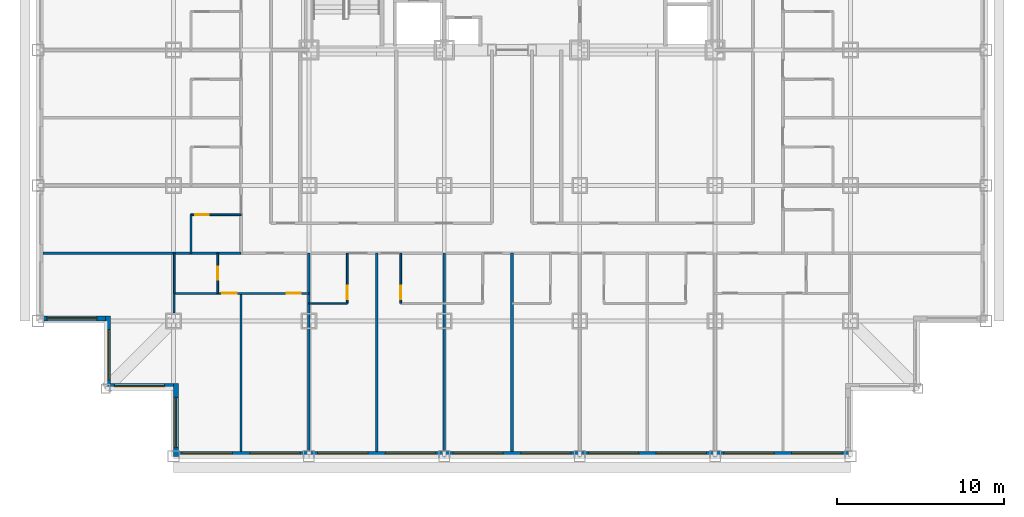
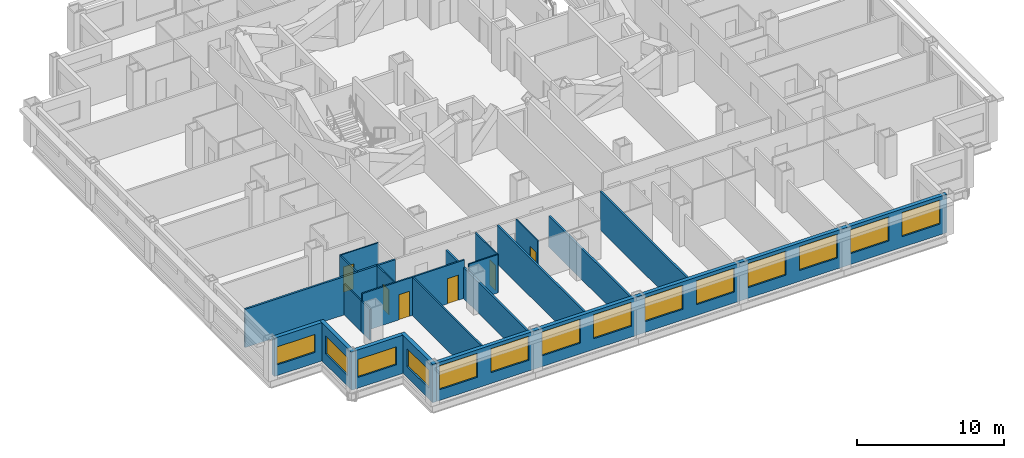
# One storey, part 3 of 11: 20 walls, 14 windows, 6 doors, 20 openings.
"""IFC4 building model written with IfcOpenShell, lengths in metres."""

from ifc_helpers import new_model, si_unit, direction, frame, frame_2d, origin, place, context, subcontext, project, spatial, rectangle, extrude, material, layer, layer_set, type_object, element, fill, save


model = new_model("IFC4")

# Units and contexts
model_context = context("Model", 3, precision=1e-05, world=origin(), true_north=direction((0.0, 1.0)))
body_context = subcontext(model_context, "Body", "Model", "MODEL_VIEW")
ifc_project = project(units=[si_unit("LENGTHUNIT", "METRE"), si_unit("AREAUNIT", "SQUARE_METRE"), si_unit("VOLUMEUNIT", "CUBIC_METRE"), si_unit("PLANEANGLEUNIT", "RADIAN"), si_unit("MASSUNIT", "GRAM", prefix="KILO")], contexts=[model_context])

# Site, building, storey
site_placement = place(None, origin())
site = spatial("IfcSite", under=ifc_project, at=site_placement, CompositionType="ELEMENT")
building_placement = place(site_placement, origin())
building = spatial("IfcBuilding", under=site, at=building_placement, Name="Kopane Lantern Tower", CompositionType="ELEMENT")
storey_placement = place(building_placement, frame((0.0, 0.0, 60.199951171875)))
storey = spatial("IfcBuildingStorey", under=building, at=storey_placement, Name="L14", CompositionType="ELEMENT", Elevation=60.199951171875)

# Wall, openings, doors
ifc_material_1 = material(Name="Gypsum board on steel studs", Category="steel")
ifc_layer_1 = layer(ifc_material_1, 0.1201171875)
ifc_layer_set_1 = layer_set([ifc_layer_1], Name="APARTMENT INTERNAL WALL 120")
wall_type_1 = type_object("IfcWallType", Name="APARTMENT INTERNAL WALL 120", PredefinedType="PARTITIONING", material=ifc_layer_set_1)
wall_1_placement = place(storey_placement, frame((8.14990234375, 9.75, 0.0), z_axis=(0.0, 0.0, 1.0), x_axis=(1.0, 0.0, 0.0)))
wall_1 = element("IfcWall", 1, at=wall_1_placement, inside=storey, type_object=wall_type_1, Name="Apartment Internal Wall 120 L14", PredefinedType="PARTITIONING", context=body_context, shape_type="SweptSolid", body=[
    extrude(rectangle(XDim=8.050048828125, YDim=0.1201171875, at=frame_2d((4.02490234375, 0.0))), origin(), (0.0, 0.0, 1.0), 3.18994140625),
])
opening_1_placement = place(wall_1_placement, frame((6.72509765625, 0.0, 0.0)))
opening_1 = element("IfcOpeningElement", 2, at=opening_1_placement, cuts=wall_1, Name="Opening L14-063", PredefinedType="OPENING", context=body_context, shape_type="SweptSolid", body=[
    extrude(rectangle(XDim=0.85009765625, YDim=2.10009765625, at=frame_2d((0.425048828125, 1.050048828125))), frame((0.0, 0.070068359375, 0.0), z_axis=(0.0, -1.0, 0.0), x_axis=(1.0, 0.0, 0.0)), (0.0, 0.0, 1.0), 0.14013671875),
])
opening_2_placement = place(wall_1_placement, frame((2.875, 0.0, 0.0)))
opening_2 = element("IfcOpeningElement", 3, at=opening_2_placement, cuts=wall_1, Name="Opening L14-065", PredefinedType="OPENING", context=body_context, shape_type="SweptSolid", body=[
    extrude(rectangle(XDim=0.85009765625, YDim=2.10009765625, at=frame_2d((0.425048828125, 1.050048828125))), frame((0.0, 0.070068359375, 0.0), z_axis=(0.0, -1.0, 0.0), x_axis=(1.0, 0.0, 0.0)), (0.0, 0.0, 1.0), 0.14013671875),
])
ifc_material_2 = material(Name="Timber door set", Category="wood")
door_type_1 = type_object("IfcDoorType", Name="DOOR D4 850x2100", OperationType="SINGLE_SWING_LEFT", PredefinedType="DOOR", material=ifc_material_2)
door_1_placement = place(opening_1_placement, origin())
door_1 = element("IfcDoor", 4, at=door_1_placement, inside=storey, type_object=door_type_1, Name="Door L14-063", OperationType="SINGLE_SWING_RIGHT", OverallHeight=2.10009765625, OverallWidth=0.85009765625, PredefinedType="DOOR", context=body_context, shape_type="SweptSolid", body=[
    extrude(rectangle(XDim=0.85009765625, YDim=2.10009765625, at=frame_2d((0.425048828125, 1.050048828125))), frame((0.0, 0.02490234375, 0.0), z_axis=(0.0, -1.0, 0.0), x_axis=(1.0, 0.0, 0.0)), (0.0, 0.0, 1.0), 0.050048828125),
])
fill(opening_1, door_1)
door_2_placement = place(opening_2_placement, origin())
door_2 = element("IfcDoor", 5, at=door_2_placement, inside=storey, type_object=door_type_1, Name="Door L14-065", OperationType="SINGLE_SWING_LEFT", OverallHeight=2.10009765625, OverallWidth=0.85009765625, PredefinedType="DOOR", context=body_context, shape_type="SweptSolid", body=[
    extrude(rectangle(XDim=0.85009765625, YDim=2.10009765625, at=frame_2d((0.425048828125, 1.050048828125))), frame((0.0, 0.02490234375, 0.0), z_axis=(0.0, -1.0, 0.0), x_axis=(1.0, 0.0, 0.0)), (0.0, 0.0, 1.0), 0.050048828125),
])
fill(opening_2, door_2)

# Walls
wall_2_placement = place(storey_placement, frame((12.14990234375, 9.75, 0.0), z_axis=(0.0, 0.0, 1.0), x_axis=(0.0, -1.0, 0.0)))
element("IfcWall", 6, at=wall_2_placement, inside=storey, type_object=wall_type_1, Name="Apartment Internal Wall 120 L14", PredefinedType="PARTITIONING", context=body_context, shape_type="SweptSolid", body=[
    extrude(rectangle(XDim=9.449951171875, YDim=0.1201171875, at=frame_2d((4.72509765625, 0.0))), origin(), (0.0, 0.0, 1.0), 3.18994140625),
])
wall_3_placement = place(storey_placement, frame((8.14990234375, 9.75, 0.0), z_axis=(0.0, 0.0, 1.0), x_axis=(0.0, -1.0, 0.0)))
element("IfcWall", 7, at=wall_3_placement, inside=storey, type_object=wall_type_1, Name="Apartment Internal Wall 120 L14", PredefinedType="PARTITIONING", context=body_context, shape_type="SweptSolid", body=[
    extrude(rectangle(XDim=1.175048828125, YDim=0.1201171875, at=frame_2d((0.58740234375, 0.0))), origin(), (0.0, 0.0, 1.0), 2.577880859375),
])
ifc_material_3 = material(Name="Moisture-resistant board on steel studs", Category="steel")
ifc_layer_2 = layer(ifc_material_3, 0.10009765625)
ifc_layer_set_2 = layer_set([ifc_layer_2], Name="BATHROOM WALL 100")
wall_type_2 = type_object("IfcWallType", Name="BATHROOM WALL 100", PredefinedType="PARTITIONING", material=ifc_layer_set_2)
wall_4_placement = place(storey_placement, frame((16.199951171875, 9.14990234375, 0.0), z_axis=(0.0, 0.0, 1.0), x_axis=(1.0, 0.0, 0.0)))
element("IfcWall", 8, at=wall_4_placement, inside=storey, type_object=wall_type_2, Name="Bathroom Wall 100 L14", PredefinedType="PARTITIONING", context=body_context, shape_type="SweptSolid", body=[
    extrude(rectangle(XDim=2.300048828125, YDim=0.10009765625, at=frame_2d((1.14990234375, 0.0))), origin(), (0.0, 0.0, 1.0), 3.18994140625),
])

# Wall, opening, door
wall_5_placement = place(storey_placement, frame((18.5, 12.14990234375, 0.0), z_axis=(0.0, 0.0, 1.0), x_axis=(0.0, -1.0, 0.0)))
wall_5 = element("IfcWall", 9, at=wall_5_placement, inside=storey, type_object=wall_type_2, Name="Bathroom Wall 100 L14", PredefinedType="PARTITIONING", context=body_context, shape_type="SweptSolid", body=[
    extrude(rectangle(XDim=3.0, YDim=0.10009765625, at=frame_2d((1.5, 0.0))), origin(), (0.0, 0.0, 1.0), 3.18994140625),
])
opening_3_placement = place(wall_5_placement, frame((1.949951171875, 0.0, 0.0)))
opening_3 = element("IfcOpeningElement", 10, at=opening_3_placement, cuts=wall_5, Name="Opening L14-011", PredefinedType="OPENING", context=body_context, shape_type="SweptSolid", body=[
    extrude(rectangle(XDim=0.800048828125, YDim=2.10009765625, at=frame_2d((0.39990234375, 1.050048828125))), frame((0.0, 0.06005859375, 0.0), z_axis=(0.0, -1.0, 0.0), x_axis=(1.0, 0.0, 0.0)), (0.0, 0.0, 1.0), 0.1201171875),
])
ifc_material_4 = material(Name="Timber door set", Category="wood")
door_type_2 = type_object("IfcDoorType", Name="DOOR D2 800x2100", OperationType="SINGLE_SWING_LEFT", PredefinedType="DOOR", material=ifc_material_4)
door_3_placement = place(opening_3_placement, origin())
door_3 = element("IfcDoor", 11, at=door_3_placement, inside=storey, type_object=door_type_2, Name="Door L14-011", OperationType="SINGLE_SWING_LEFT", OverallHeight=2.10009765625, OverallWidth=0.800048828125, PredefinedType="DOOR", context=body_context, shape_type="SweptSolid", body=[
    extrude(rectangle(XDim=0.800048828125, YDim=2.10009765625, at=frame_2d((0.39990234375, 1.050048828125))), frame((0.0, 0.02490234375, 0.0), z_axis=(0.0, -1.0, 0.0), x_axis=(1.0, 0.0, 0.0)), (0.0, 0.0, 1.0), 0.050048828125),
])
fill(opening_3, door_3)

wall_6_placement = place(storey_placement, frame((21.699951171875, 12.14990234375, 0.0), z_axis=(0.0, 0.0, 1.0), x_axis=(0.0, -1.0, 0.0)))
wall_6 = element("IfcWall", 12, at=wall_6_placement, inside=storey, type_object=wall_type_2, Name="Bathroom Wall 100 L14", PredefinedType="PARTITIONING", context=body_context, shape_type="SweptSolid", body=[
    extrude(rectangle(XDim=3.0, YDim=0.10009765625, at=frame_2d((1.5, 0.0))), origin(), (0.0, 0.0, 1.0), 3.18994140625),
])
opening_4_placement = place(wall_6_placement, frame((1.949951171875, 0.0, 0.0)))
opening_4 = element("IfcOpeningElement", 13, at=opening_4_placement, cuts=wall_6, Name="Opening L14-013", PredefinedType="OPENING", context=body_context, shape_type="SweptSolid", body=[
    extrude(rectangle(XDim=0.800048828125, YDim=2.10009765625, at=frame_2d((0.39990234375, 1.050048828125))), frame((0.0, 0.06005859375, 0.0), z_axis=(0.0, -1.0, 0.0), x_axis=(1.0, 0.0, 0.0)), (0.0, 0.0, 1.0), 0.1201171875),
])
door_4_placement = place(opening_4_placement, origin())
door_4 = element("IfcDoor", 14, at=door_4_placement, inside=storey, type_object=door_type_2, Name="Door L14-013", OperationType="SINGLE_SWING_RIGHT", OverallHeight=2.10009765625, OverallWidth=0.800048828125, PredefinedType="DOOR", context=body_context, shape_type="SweptSolid", body=[
    extrude(rectangle(XDim=0.800048828125, YDim=2.10009765625, at=frame_2d((0.39990234375, 1.050048828125))), frame((0.0, 0.02490234375, 0.0), z_axis=(0.0, -1.0, 0.0), x_axis=(1.0, 0.0, 0.0)), (0.0, 0.0, 1.0), 0.050048828125),
])
fill(opening_4, door_4)

# Wall
wall_7_placement = place(storey_placement, frame((9.14990234375, 12.14990234375, 0.0), z_axis=(0.0, 0.0, 1.0), x_axis=(0.0, 1.0, 0.0)))
element("IfcWall", 15, at=wall_7_placement, inside=storey, type_object=wall_type_2, Name="Bathroom Wall 100 L14", PredefinedType="PARTITIONING", context=body_context, shape_type="SweptSolid", body=[
    extrude(rectangle(XDim=2.300048828125, YDim=0.10009765625, at=frame_2d((1.14990234375, 0.0))), origin(), (0.0, 0.0, 1.0), 3.18994140625),
])

# Wall, opening, door
wall_8_placement = place(storey_placement, frame((12.14990234375, 14.449951171875, 0.0), z_axis=(0.0, 0.0, 1.0), x_axis=(-1.0, 0.0, 0.0)))
wall_8 = element("IfcWall", 16, at=wall_8_placement, inside=storey, type_object=wall_type_2, Name="Bathroom Wall 100 L14", PredefinedType="PARTITIONING", context=body_context, shape_type="SweptSolid", body=[
    extrude(rectangle(XDim=3.0, YDim=0.10009765625, at=frame_2d((1.5, 0.0))), origin(), (0.0, 0.0, 1.0), 3.18994140625),
])
opening_5_placement = place(wall_8_placement, frame((1.949951171875, 0.0, 0.0)))
opening_5 = element("IfcOpeningElement", 17, at=opening_5_placement, cuts=wall_8, Name="Opening L14-035", PredefinedType="OPENING", context=body_context, shape_type="SweptSolid", body=[
    extrude(rectangle(XDim=0.800048828125, YDim=2.10009765625, at=frame_2d((0.39990234375, 1.050048828125))), frame((0.0, 0.06005859375, 0.0), z_axis=(0.0, -1.0, 0.0), x_axis=(1.0, 0.0, 0.0)), (0.0, 0.0, 1.0), 0.1201171875),
])
door_5_placement = place(opening_5_placement, origin())
door_5 = element("IfcDoor", 18, at=door_5_placement, inside=storey, type_object=door_type_2, Name="Door L14-035", OperationType="SINGLE_SWING_RIGHT", OverallHeight=2.10009765625, OverallWidth=0.800048828125, PredefinedType="DOOR", context=body_context, shape_type="SweptSolid", body=[
    extrude(rectangle(XDim=0.800048828125, YDim=2.10009765625, at=frame_2d((0.39990234375, 1.050048828125))), frame((0.0, 0.02490234375, 0.0), z_axis=(0.0, -1.0, 0.0), x_axis=(1.0, 0.0, 0.0)), (0.0, 0.0, 1.0), 0.050048828125),
])
fill(opening_5, door_5)

wall_9_placement = place(storey_placement, frame((10.75, 12.14990234375, 0.0), z_axis=(0.0, 0.0, 1.0), x_axis=(0.0, -1.0, 0.0)))
wall_9 = element("IfcWall", 19, at=wall_9_placement, inside=storey, type_object=wall_type_2, Name="Bathroom Wall 100 L14", PredefinedType="PARTITIONING", context=body_context, shape_type="SweptSolid", body=[
    extrude(rectangle(XDim=2.39990234375, YDim=0.10009765625, at=frame_2d((1.199951171875, 0.0))), origin(), (0.0, 0.0, 1.0), 3.18994140625),
])
opening_6_placement = place(wall_9_placement, frame((0.800048828125, 0.0, 0.0)))
opening_6 = element("IfcOpeningElement", 20, at=opening_6_placement, cuts=wall_9, Name="Opening L14-064", PredefinedType="OPENING", context=body_context, shape_type="SweptSolid", body=[
    extrude(rectangle(XDim=0.800048828125, YDim=2.10009765625, at=frame_2d((0.39990234375, 1.050048828125))), frame((0.0, 0.06005859375, 0.0), z_axis=(0.0, -1.0, 0.0), x_axis=(1.0, 0.0, 0.0)), (0.0, 0.0, 1.0), 0.1201171875),
])
door_6_placement = place(opening_6_placement, origin())
door_6 = element("IfcDoor", 21, at=door_6_placement, inside=storey, type_object=door_type_2, Name="Door L14-064", OperationType="SINGLE_SWING_RIGHT", OverallHeight=2.10009765625, OverallWidth=0.800048828125, PredefinedType="DOOR", context=body_context, shape_type="SweptSolid", body=[
    extrude(rectangle(XDim=0.800048828125, YDim=2.10009765625, at=frame_2d((0.39990234375, 1.050048828125))), frame((0.0, 0.02490234375, 0.0), z_axis=(0.0, -1.0, 0.0), x_axis=(1.0, 0.0, 0.0)), (0.0, 0.0, 1.0), 0.050048828125),
])
fill(opening_6, door_6)

# Walls
wall_10_placement = place(storey_placement, frame((8.14990234375, 12.14990234375, 0.0), z_axis=(0.0, 0.0, 1.0), x_axis=(0.0, -1.0, 0.0)))
element("IfcWall", 22, at=wall_10_placement, inside=storey, type_object=wall_type_2, Name="Bathroom Wall 100 L14", PredefinedType="PARTITIONING", context=body_context, shape_type="SweptSolid", body=[
    extrude(rectangle(XDim=2.39990234375, YDim=0.10009765625, at=frame_2d((1.199951171875, 0.0))), origin(), (0.0, 0.0, 1.0), 2.577880859375),
])
ifc_material_5 = material(Name="Gypsum board on steel studs", Category="steel")
ifc_layer_3 = layer(ifc_material_5, 0.14990234375)
ifc_layer_set_3 = layer_set([ifc_layer_3], Name="DEMISING WALL 150 EI 60")
wall_type_3 = type_object("IfcWallType", Name="DEMISING WALL 150 EI 60", PredefinedType="PARTITIONING", material=ifc_layer_set_3)
wall_11_placement = place(storey_placement, frame((20.25, 12.14990234375, 0.0), z_axis=(0.0, 0.0, 1.0), x_axis=(0.0, -1.0, 0.0)))
element("IfcWall", 23, at=wall_11_placement, inside=storey, type_object=wall_type_3, Name="Demising Wall 150 Ei 60 L14", PredefinedType="PARTITIONING", context=body_context, shape_type="SweptSolid", body=[
    extrude(rectangle(XDim=11.849853515625, YDim=0.14990234375, at=frame_2d((5.9248046875, 0.0))), origin(), (0.0, 0.0, 1.0), 3.18994140625),
])
wall_12_placement = place(storey_placement, frame((24.300048828125, 12.14990234375, 0.0), z_axis=(0.0, 0.0, 1.0), x_axis=(0.0, -1.0, 0.0)))
element("IfcWall", 24, at=wall_12_placement, inside=storey, type_object=wall_type_3, Name="Demising Wall 150 Ei 60 L14", PredefinedType="PARTITIONING", context=body_context, shape_type="SweptSolid", body=[
    extrude(rectangle(XDim=11.849853515625, YDim=0.14990234375, at=frame_2d((5.9248046875, 0.0))), origin(), (0.0, 0.0, 1.0), 2.577880859375),
])
for number, where, z_axis, x_axis, name in (
    (25, (28.35009765625, 12.14990234375, 0.0), (0.0, 0.0, 1.0), (0.0, -1.0, 0.0), "Demising Wall 150 Ei 60 L14"),
    (26, (0.300048828125, 12.14990234375, 0.0), (0.0, 0.0, 1.0), (1.0, 0.0, 0.0), "Demising Wall 150 Ei 60 L14"),
):
    element("IfcWall", number, at=place(storey_placement, frame(where, z_axis=z_axis, x_axis=x_axis)), inside=storey, type_object=wall_type_3, Name=name, PredefinedType="PARTITIONING", context=body_context, shape_type="SweptSolid", body=[
        extrude(rectangle(XDim=11.849853515625, YDim=0.14990234375, at=frame_2d((5.9248046875, 0.0))), origin(), (0.0, 0.0, 1.0), 3.18994140625),
    ])
wall_13_placement = place(storey_placement, frame((16.199951171875, 12.14990234375, 0.0), z_axis=(0.0, 0.0, 1.0), x_axis=(0.0, -1.0, 0.0)))
element("IfcWall", 27, at=wall_13_placement, inside=storey, type_object=wall_type_3, Name="Demising Wall 150 Ei 60 L14", PredefinedType="PARTITIONING", context=body_context, shape_type="SweptSolid", body=[
    extrude(rectangle(XDim=11.849853515625, YDim=0.14990234375, at=frame_2d((5.9248046875, 0.0))), origin(), (0.0, 0.0, 1.0), 2.577880859375),
])

# Wall, openings, windows
ifc_material_6 = material(Name="Terracotta rainscreen on light steel framing", Category="masonry")
ifc_layer_4 = layer(ifc_material_6, 0.300048828125)
ifc_layer_set_4 = layer_set([ifc_layer_4], Name="EXTERNAL WALL EW1 300 TERRACOTTA")
wall_type_4 = type_object("IfcWallType", Name="EXTERNAL WALL EW1 300 TERRACOTTA", PredefinedType="SOLIDWALL", material=ifc_layer_set_4)
wall_14_placement = place(storey_placement, frame((8.39990234375, 0.14990234375, 0.0), z_axis=(0.0, 0.0, 1.0), x_axis=(1.0, 0.0, 0.0)))
wall_14 = element("IfcWall", 28, at=wall_14_placement, inside=storey, type_object=wall_type_4, Name="External wall S L14", PredefinedType="SOLIDWALL", context=body_context, shape_type="SweptSolid", body=[
    extrude(rectangle(XDim=40.2001953125, YDim=0.300048828125, at=frame_2d((20.10009765625, 0.0))), origin(), (0.0, 0.0, 1.0), 3.18994140625),
])
opening_7_placement = place(wall_14_placement, frame((0.22509765625, 0.0, 0.89990234375)))
opening_7 = element("IfcOpeningElement", 29, at=opening_7_placement, cuts=wall_14, Name="Opening WR300200", PredefinedType="OPENING", context=body_context, shape_type="SweptSolid", body=[
    extrude(rectangle(XDim=3.0, YDim=2.0, at=frame_2d((1.5, 1.0))), frame((0.0, 0.159912109375, 0.0), z_axis=(0.0, -1.0, 0.0), x_axis=(1.0, 0.0, 0.0)), (0.0, 0.0, 1.0), 0.320068359375),
])
opening_8_placement = place(wall_14_placement, frame((4.27490234375, 0.0, 0.89990234375)))
opening_8 = element("IfcOpeningElement", 30, at=opening_8_placement, cuts=wall_14, Name="Opening WR300200", PredefinedType="OPENING", context=body_context, shape_type="SweptSolid", body=[
    extrude(rectangle(XDim=3.0, YDim=2.0, at=frame_2d((1.5, 1.0))), frame((0.0, 0.159912109375, 0.0), z_axis=(0.0, -1.0, 0.0), x_axis=(1.0, 0.0, 0.0)), (0.0, 0.0, 1.0), 0.320068359375),
])
opening_9_placement = place(wall_14_placement, frame((8.324951171875, 0.0, 0.89990234375)))
opening_9 = element("IfcOpeningElement", 31, at=opening_9_placement, cuts=wall_14, Name="Opening WR300200", PredefinedType="OPENING", context=body_context, shape_type="SweptSolid", body=[
    extrude(rectangle(XDim=3.0, YDim=2.0, at=frame_2d((1.5, 1.0))), frame((0.0, 0.159912109375, 0.0), z_axis=(0.0, -1.0, 0.0), x_axis=(1.0, 0.0, 0.0)), (0.0, 0.0, 1.0), 0.320068359375),
])
opening_10_placement = place(wall_14_placement, frame((12.375, 0.0, 0.89990234375)))
opening_10 = element("IfcOpeningElement", 32, at=opening_10_placement, cuts=wall_14, Name="Opening WR300200", PredefinedType="OPENING", context=body_context, shape_type="SweptSolid", body=[
    extrude(rectangle(XDim=3.0, YDim=2.0, at=frame_2d((1.5, 1.0))), frame((0.0, 0.159912109375, 0.0), z_axis=(0.0, -1.0, 0.0), x_axis=(1.0, 0.0, 0.0)), (0.0, 0.0, 1.0), 0.320068359375),
])
opening_11_placement = place(wall_14_placement, frame((16.425048828125, 0.0, 0.89990234375)))
opening_11 = element("IfcOpeningElement", 33, at=opening_11_placement, cuts=wall_14, Name="Opening WR300200", PredefinedType="OPENING", context=body_context, shape_type="SweptSolid", body=[
    extrude(rectangle(XDim=3.0, YDim=2.0, at=frame_2d((1.5, 1.0))), frame((0.0, 0.159912109375, 0.0), z_axis=(0.0, -1.0, 0.0), x_axis=(1.0, 0.0, 0.0)), (0.0, 0.0, 1.0), 0.320068359375),
])
opening_12_placement = place(wall_14_placement, frame((20.47509765625, 0.0, 0.89990234375)))
opening_12 = element("IfcOpeningElement", 34, at=opening_12_placement, cuts=wall_14, Name="Opening WR300200", PredefinedType="OPENING", context=body_context, shape_type="SweptSolid", body=[
    extrude(rectangle(XDim=3.0, YDim=2.0, at=frame_2d((1.5, 1.0))), frame((0.0, 0.159912109375, 0.0), z_axis=(0.0, -1.0, 0.0), x_axis=(1.0, 0.0, 0.0)), (0.0, 0.0, 1.0), 0.320068359375),
])
opening_13_placement = place(wall_14_placement, frame((24.52490234375, 0.0, 0.89990234375)))
opening_13 = element("IfcOpeningElement", 35, at=opening_13_placement, cuts=wall_14, Name="Opening WR300200", PredefinedType="OPENING", context=body_context, shape_type="SweptSolid", body=[
    extrude(rectangle(XDim=3.0, YDim=2.0, at=frame_2d((1.5, 1.0))), frame((0.0, 0.159912109375, 0.0), z_axis=(0.0, -1.0, 0.0), x_axis=(1.0, 0.0, 0.0)), (0.0, 0.0, 1.0), 0.320068359375),
])
opening_14_placement = place(wall_14_placement, frame((28.574951171875, 0.0, 0.89990234375)))
opening_14 = element("IfcOpeningElement", 36, at=opening_14_placement, cuts=wall_14, Name="Opening WR300200", PredefinedType="OPENING", context=body_context, shape_type="SweptSolid", body=[
    extrude(rectangle(XDim=3.0, YDim=2.0, at=frame_2d((1.5, 1.0))), frame((0.0, 0.159912109375, 0.0), z_axis=(0.0, -1.0, 0.0), x_axis=(1.0, 0.0, 0.0)), (0.0, 0.0, 1.0), 0.320068359375),
])
opening_15_placement = place(wall_14_placement, frame((32.625, 0.0, 0.89990234375)))
opening_15 = element("IfcOpeningElement", 37, at=opening_15_placement, cuts=wall_14, Name="Opening WR300200", PredefinedType="OPENING", context=body_context, shape_type="SweptSolid", body=[
    extrude(rectangle(XDim=3.0, YDim=2.0, at=frame_2d((1.5, 1.0))), frame((0.0, 0.159912109375, 0.0), z_axis=(0.0, -1.0, 0.0), x_axis=(1.0, 0.0, 0.0)), (0.0, 0.0, 1.0), 0.320068359375),
])
opening_16_placement = place(wall_14_placement, frame((36.675048828125, 0.0, 0.89990234375)))
opening_16 = element("IfcOpeningElement", 38, at=opening_16_placement, cuts=wall_14, Name="Opening WR300200", PredefinedType="OPENING", context=body_context, shape_type="SweptSolid", body=[
    extrude(rectangle(XDim=3.0, YDim=2.0, at=frame_2d((1.5, 1.0))), frame((0.0, 0.159912109375, 0.0), z_axis=(0.0, -1.0, 0.0), x_axis=(1.0, 0.0, 0.0)), (0.0, 0.0, 1.0), 0.320068359375),
])
ifc_material_7 = material(Name="Aluminium and clear glass", Category="aluminium")
window_type_1 = type_object("IfcWindowType", Name="RIBBON WINDOW WR300200 3000x2000", PartitioningType="SINGLE_PANEL", PredefinedType="WINDOW", material=ifc_material_7)
window_1_placement = place(opening_7_placement, origin())
window_1 = element("IfcWindow", 39, at=window_1_placement, inside=storey, type_object=window_type_1, Name="Window S L14", OverallHeight=2.0, OverallWidth=3.0, PartitioningType="SINGLE_PANEL", PredefinedType="WINDOW", context=body_context, shape_type="SweptSolid", body=[
    extrude(rectangle(XDim=3.0, YDim=2.0, at=frame_2d((1.5, 1.0))), frame((0.0, 0.030029296875, 0.0), z_axis=(0.0, -1.0, 0.0), x_axis=(1.0, 0.0, 0.0)), (0.0, 0.0, 1.0), 0.06005859375),
])
fill(opening_7, window_1)
window_2_placement = place(opening_8_placement, origin())
window_2 = element("IfcWindow", 40, at=window_2_placement, inside=storey, type_object=window_type_1, Name="Window S L14", OverallHeight=2.0, OverallWidth=3.0, PartitioningType="SINGLE_PANEL", PredefinedType="WINDOW", context=body_context, shape_type="SweptSolid", body=[
    extrude(rectangle(XDim=3.0, YDim=2.0, at=frame_2d((1.5, 1.0))), frame((0.0, 0.030029296875, 0.0), z_axis=(0.0, -1.0, 0.0), x_axis=(1.0, 0.0, 0.0)), (0.0, 0.0, 1.0), 0.06005859375),
])
fill(opening_8, window_2)
window_3_placement = place(opening_9_placement, origin())
window_3 = element("IfcWindow", 41, at=window_3_placement, inside=storey, type_object=window_type_1, Name="Window S L14", OverallHeight=2.0, OverallWidth=3.0, PartitioningType="SINGLE_PANEL", PredefinedType="WINDOW", context=body_context, shape_type="SweptSolid", body=[
    extrude(rectangle(XDim=3.0, YDim=2.0, at=frame_2d((1.5, 1.0))), frame((0.0, 0.030029296875, 0.0), z_axis=(0.0, -1.0, 0.0), x_axis=(1.0, 0.0, 0.0)), (0.0, 0.0, 1.0), 0.06005859375),
])
fill(opening_9, window_3)
window_4_placement = place(opening_10_placement, origin())
window_4 = element("IfcWindow", 42, at=window_4_placement, inside=storey, type_object=window_type_1, Name="Window S L14", OverallHeight=2.0, OverallWidth=3.0, PartitioningType="SINGLE_PANEL", PredefinedType="WINDOW", context=body_context, shape_type="SweptSolid", body=[
    extrude(rectangle(XDim=3.0, YDim=2.0, at=frame_2d((1.5, 1.0))), frame((0.0, 0.030029296875, 0.0), z_axis=(0.0, -1.0, 0.0), x_axis=(1.0, 0.0, 0.0)), (0.0, 0.0, 1.0), 0.06005859375),
])
fill(opening_10, window_4)
window_5_placement = place(opening_11_placement, origin())
window_5 = element("IfcWindow", 43, at=window_5_placement, inside=storey, type_object=window_type_1, Name="Window S L14", OverallHeight=2.0, OverallWidth=3.0, PartitioningType="SINGLE_PANEL", PredefinedType="WINDOW", context=body_context, shape_type="SweptSolid", body=[
    extrude(rectangle(XDim=3.0, YDim=2.0, at=frame_2d((1.5, 1.0))), frame((0.0, 0.030029296875, 0.0), z_axis=(0.0, -1.0, 0.0), x_axis=(1.0, 0.0, 0.0)), (0.0, 0.0, 1.0), 0.06005859375),
])
fill(opening_11, window_5)
window_6_placement = place(opening_12_placement, origin())
window_6 = element("IfcWindow", 44, at=window_6_placement, inside=storey, type_object=window_type_1, Name="Window S L14", OverallHeight=2.0, OverallWidth=3.0, PartitioningType="SINGLE_PANEL", PredefinedType="WINDOW", context=body_context, shape_type="SweptSolid", body=[
    extrude(rectangle(XDim=3.0, YDim=2.0, at=frame_2d((1.5, 1.0))), frame((0.0, 0.030029296875, 0.0), z_axis=(0.0, -1.0, 0.0), x_axis=(1.0, 0.0, 0.0)), (0.0, 0.0, 1.0), 0.06005859375),
])
fill(opening_12, window_6)
window_7_placement = place(opening_13_placement, origin())
window_7 = element("IfcWindow", 45, at=window_7_placement, inside=storey, type_object=window_type_1, Name="Window S L14", OverallHeight=2.0, OverallWidth=3.0, PartitioningType="SINGLE_PANEL", PredefinedType="WINDOW", context=body_context, shape_type="SweptSolid", body=[
    extrude(rectangle(XDim=3.0, YDim=2.0, at=frame_2d((1.5, 1.0))), frame((0.0, 0.030029296875, 0.0), z_axis=(0.0, -1.0, 0.0), x_axis=(1.0, 0.0, 0.0)), (0.0, 0.0, 1.0), 0.06005859375),
])
fill(opening_13, window_7)
window_8_placement = place(opening_14_placement, origin())
window_8 = element("IfcWindow", 46, at=window_8_placement, inside=storey, type_object=window_type_1, Name="Window S L14", OverallHeight=2.0, OverallWidth=3.0, PartitioningType="SINGLE_PANEL", PredefinedType="WINDOW", context=body_context, shape_type="SweptSolid", body=[
    extrude(rectangle(XDim=3.0, YDim=2.0, at=frame_2d((1.5, 1.0))), frame((0.0, 0.030029296875, 0.0), z_axis=(0.0, -1.0, 0.0), x_axis=(1.0, 0.0, 0.0)), (0.0, 0.0, 1.0), 0.06005859375),
])
fill(opening_14, window_8)
window_9_placement = place(opening_15_placement, origin())
window_9 = element("IfcWindow", 47, at=window_9_placement, inside=storey, type_object=window_type_1, Name="Window S L14", OverallHeight=2.0, OverallWidth=3.0, PartitioningType="SINGLE_PANEL", PredefinedType="WINDOW", context=body_context, shape_type="SweptSolid", body=[
    extrude(rectangle(XDim=3.0, YDim=2.0, at=frame_2d((1.5, 1.0))), frame((0.0, 0.030029296875, 0.0), z_axis=(0.0, -1.0, 0.0), x_axis=(1.0, 0.0, 0.0)), (0.0, 0.0, 1.0), 0.06005859375),
])
fill(opening_15, window_9)
window_10_placement = place(opening_16_placement, origin())
window_10 = element("IfcWindow", 48, at=window_10_placement, inside=storey, type_object=window_type_1, Name="Window S L14", OverallHeight=2.0, OverallWidth=3.0, PartitioningType="SINGLE_PANEL", PredefinedType="WINDOW", context=body_context, shape_type="SweptSolid", body=[
    extrude(rectangle(XDim=3.0, YDim=2.0, at=frame_2d((1.5, 1.0))), frame((0.0, 0.030029296875, 0.0), z_axis=(0.0, -1.0, 0.0), x_axis=(1.0, 0.0, 0.0)), (0.0, 0.0, 1.0), 0.06005859375),
])
fill(opening_16, window_10)

# Wall, opening, window
wall_15_placement = place(storey_placement, frame((0.300048828125, 8.25, 0.0), z_axis=(0.0, 0.0, 1.0), x_axis=(1.0, 0.0, 0.0)))
wall_15 = element("IfcWall", 49, at=wall_15_placement, inside=storey, type_object=wall_type_4, Name="External wall S L14", PredefinedType="SOLIDWALL", context=body_context, shape_type="SweptSolid", body=[
    extrude(rectangle(XDim=3.75, YDim=0.300048828125, at=frame_2d((1.875, 0.0))), origin(), (0.0, 0.0, 1.0), 3.18994140625),
])
opening_17_placement = place(wall_15_placement, frame((0.22509765625, 0.0, 0.89990234375)))
opening_17 = element("IfcOpeningElement", 50, at=opening_17_placement, cuts=wall_15, Name="Opening WR300150", PredefinedType="OPENING", context=body_context, shape_type="SweptSolid", body=[
    extrude(rectangle(XDim=3.0, YDim=1.5, at=frame_2d((1.5, 0.75))), frame((0.0, 0.159912109375, 0.0), z_axis=(0.0, -1.0, 0.0), x_axis=(1.0, 0.0, 0.0)), (0.0, 0.0, 1.0), 0.320068359375),
])
ifc_material_8 = material(Name="Aluminium and clear glass", Category="aluminium")
window_type_2 = type_object("IfcWindowType", Name="RIBBON WINDOW WR300150 3000x1500", PartitioningType="SINGLE_PANEL", PredefinedType="WINDOW", material=ifc_material_8)
window_11_placement = place(opening_17_placement, origin())
window_11 = element("IfcWindow", 51, at=window_11_placement, inside=storey, type_object=window_type_2, Name="Window S L14", OverallHeight=1.5, OverallWidth=3.0, PartitioningType="SINGLE_PANEL", PredefinedType="WINDOW", context=body_context, shape_type="SweptSolid", body=[
    extrude(rectangle(XDim=3.0, YDim=1.5, at=frame_2d((1.5, 0.75))), frame((0.0, 0.030029296875, 0.0), z_axis=(0.0, -1.0, 0.0), x_axis=(1.0, 0.0, 0.0)), (0.0, 0.0, 1.0), 0.06005859375),
])
fill(opening_17, window_11)

wall_16_placement = place(storey_placement, frame((4.199951171875, 8.39990234375, 0.0), z_axis=(0.0, 0.0, 1.0), x_axis=(0.0, -1.0, 0.0)))
wall_16 = element("IfcWall", 52, at=wall_16_placement, inside=storey, type_object=wall_type_4, Name="External wall W L14", PredefinedType="SOLIDWALL", context=body_context, shape_type="SweptSolid", body=[
    extrude(rectangle(XDim=4.349853515625, YDim=0.300048828125, at=frame_2d((2.1748046875, 0.0))), origin(), (0.0, 0.0, 1.0), 3.18994140625),
])
opening_18_placement = place(wall_16_placement, frame((0.824951171875, 0.0, 0.89990234375)))
opening_18 = element("IfcOpeningElement", 53, at=opening_18_placement, cuts=wall_16, Name="Opening WR300150", PredefinedType="OPENING", context=body_context, shape_type="SweptSolid", body=[
    extrude(rectangle(XDim=3.0, YDim=1.5, at=frame_2d((1.5, 0.75))), frame((0.0, 0.159912109375, 0.0), z_axis=(0.0, -1.0, 0.0), x_axis=(1.0, 0.0, 0.0)), (0.0, 0.0, 1.0), 0.320068359375),
])
window_12_placement = place(opening_18_placement, origin())
window_12 = element("IfcWindow", 54, at=window_12_placement, inside=storey, type_object=window_type_2, Name="Window W L14", OverallHeight=1.5, OverallWidth=3.0, PartitioningType="SINGLE_PANEL", PredefinedType="WINDOW", context=body_context, shape_type="SweptSolid", body=[
    extrude(rectangle(XDim=3.0, YDim=1.5, at=frame_2d((1.5, 0.75))), frame((0.0, 0.030029296875, 0.0), z_axis=(0.0, -1.0, 0.0), x_axis=(1.0, 0.0, 0.0)), (0.0, 0.0, 1.0), 0.06005859375),
])
fill(opening_18, window_12)

wall_17_placement = place(storey_placement, frame((4.35009765625, 4.199951171875, 0.0), z_axis=(0.0, 0.0, 1.0), x_axis=(1.0, 0.0, 0.0)))
wall_17 = element("IfcWall", 55, at=wall_17_placement, inside=storey, type_object=wall_type_4, Name="External wall S L14", PredefinedType="SOLIDWALL", context=body_context, shape_type="SweptSolid", body=[
    extrude(rectangle(XDim=3.75, YDim=0.300048828125, at=frame_2d((1.875, 0.0))), origin(), (0.0, 0.0, 1.0), 3.18994140625),
])
opening_19_placement = place(wall_17_placement, frame((0.22509765625, 0.0, 0.89990234375)))
opening_19 = element("IfcOpeningElement", 56, at=opening_19_placement, cuts=wall_17, Name="Opening WR300150", PredefinedType="OPENING", context=body_context, shape_type="SweptSolid", body=[
    extrude(rectangle(XDim=3.0, YDim=1.5, at=frame_2d((1.5, 0.75))), frame((0.0, 0.159912109375, 0.0), z_axis=(0.0, -1.0, 0.0), x_axis=(1.0, 0.0, 0.0)), (0.0, 0.0, 1.0), 0.320068359375),
])
window_13_placement = place(opening_19_placement, origin())
window_13 = element("IfcWindow", 57, at=window_13_placement, inside=storey, type_object=window_type_2, Name="Window S L14", OverallHeight=1.5, OverallWidth=3.0, PartitioningType="SINGLE_PANEL", PredefinedType="WINDOW", context=body_context, shape_type="SweptSolid", body=[
    extrude(rectangle(XDim=3.0, YDim=1.5, at=frame_2d((1.5, 0.75))), frame((0.0, 0.030029296875, 0.0), z_axis=(0.0, -1.0, 0.0), x_axis=(1.0, 0.0, 0.0)), (0.0, 0.0, 1.0), 0.06005859375),
])
fill(opening_19, window_13)

wall_18_placement = place(storey_placement, frame((8.25, 4.35009765625, 0.0), z_axis=(0.0, 0.0, 1.0), x_axis=(0.0, -1.0, 0.0)))
wall_18 = element("IfcWall", 58, at=wall_18_placement, inside=storey, type_object=wall_type_4, Name="External wall W L14", PredefinedType="SOLIDWALL", context=body_context, shape_type="SweptSolid", body=[
    extrude(rectangle(XDim=4.35009765625, YDim=0.300048828125, at=frame_2d((2.175048828125, 0.0))), origin(), (0.0, 0.0, 1.0), 3.18994140625),
])
opening_20_placement = place(wall_18_placement, frame((0.824951171875, 0.0, 0.89990234375)))
opening_20 = element("IfcOpeningElement", 59, at=opening_20_placement, cuts=wall_18, Name="Opening WR300150", PredefinedType="OPENING", context=body_context, shape_type="SweptSolid", body=[
    extrude(rectangle(XDim=3.0, YDim=1.5, at=frame_2d((1.5, 0.75))), frame((0.0, 0.159912109375, 0.0), z_axis=(0.0, -1.0, 0.0), x_axis=(1.0, 0.0, 0.0)), (0.0, 0.0, 1.0), 0.320068359375),
])
window_14_placement = place(opening_20_placement, origin())
window_14 = element("IfcWindow", 60, at=window_14_placement, inside=storey, type_object=window_type_2, Name="Window W L14", OverallHeight=1.5, OverallWidth=3.0, PartitioningType="SINGLE_PANEL", PredefinedType="WINDOW", context=body_context, shape_type="SweptSolid", body=[
    extrude(rectangle(XDim=3.0, YDim=1.5, at=frame_2d((1.5, 0.75))), frame((0.0, 0.030029296875, 0.0), z_axis=(0.0, -1.0, 0.0), x_axis=(1.0, 0.0, 0.0)), (0.0, 0.0, 1.0), 0.06005859375),
])
fill(opening_20, window_14)

save(model, "model.ifc")
